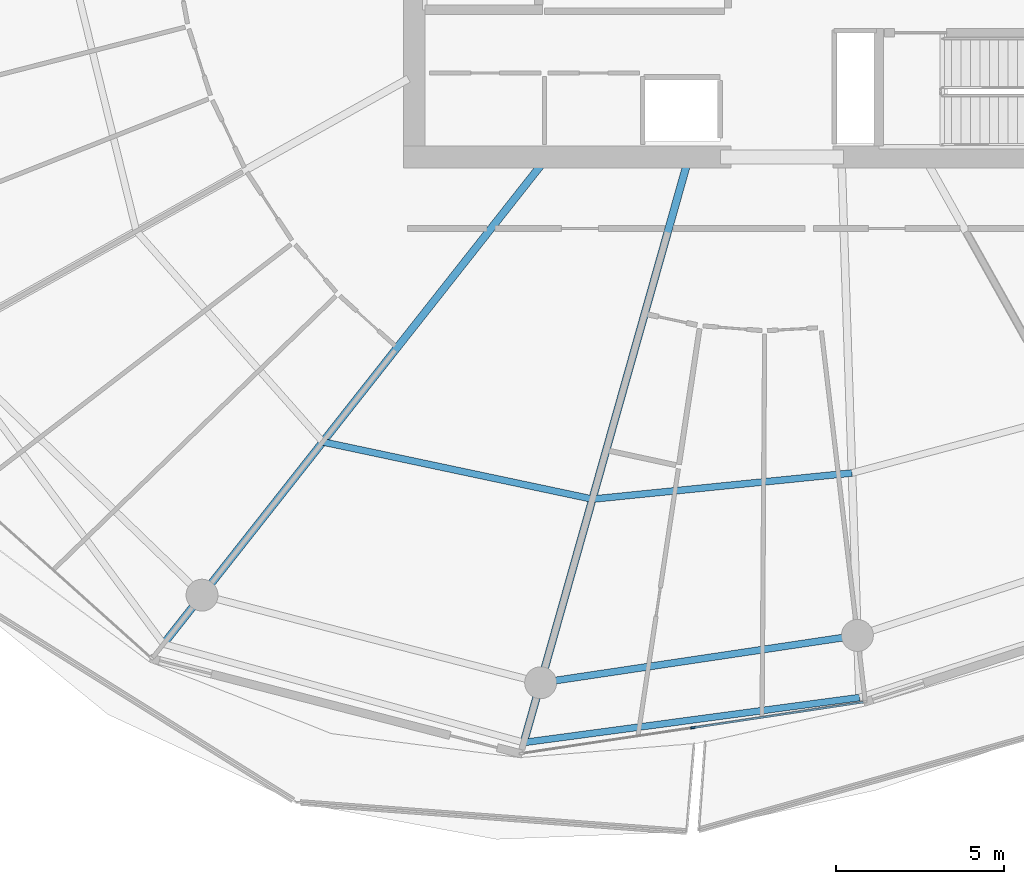
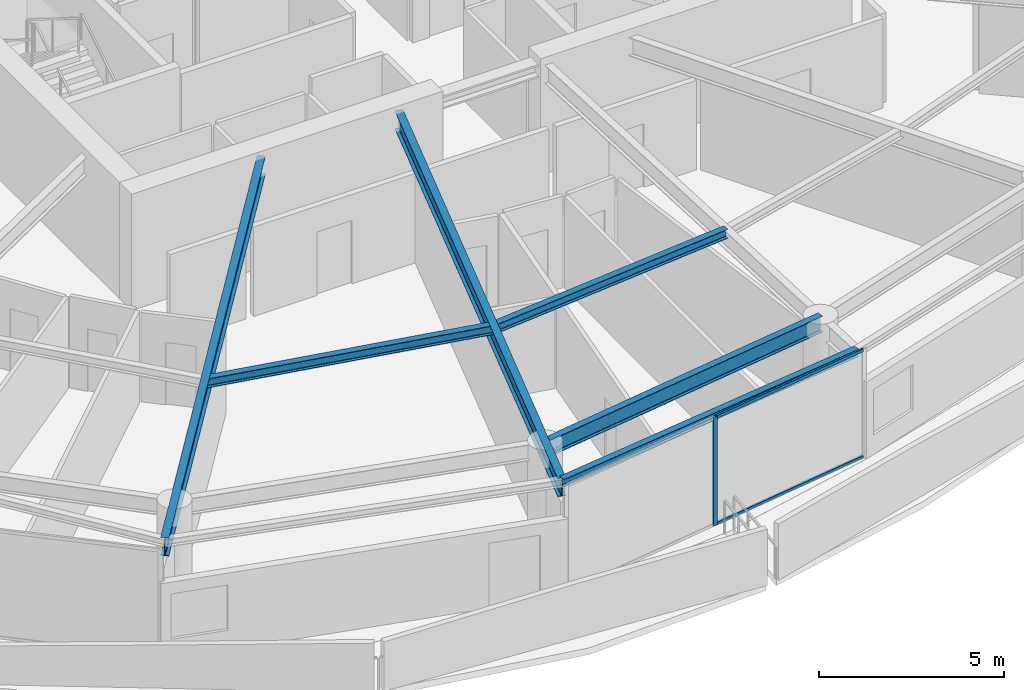
# One storey, part 7 of 30: 6 beams, 3 members, 1 element without a shape of its own.
"""IFC4 building model written with IfcOpenShell, lengths in metres."""

from ifc_helpers import new_model, si_unit, direction, frame, origin, origin_2d, place, context, subcontext, project, spatial, rectangle, i_section, extrude, material, layer, layer_set, material_profile, profile_set, type_object, element, aggregate, save


model = new_model("IFC4")

# Units and contexts
model_context = context("Model", 3, precision=1e-05, world=origin(), true_north=direction((0.0, 1.0)))
body_context = subcontext(model_context, "Body", "Model", "MODEL_VIEW")
ifc_project = project(units=[si_unit("LENGTHUNIT", "METRE"), si_unit("AREAUNIT", "SQUARE_METRE"), si_unit("VOLUMEUNIT", "CUBIC_METRE"), si_unit("PLANEANGLEUNIT", "RADIAN"), si_unit("MASSUNIT", "GRAM", prefix="KILO")], contexts=[model_context])

# Site, building, storey
site_placement = place(None, origin())
site = spatial("IfcSite", under=ifc_project, at=site_placement, CompositionType="ELEMENT")
building_placement = place(site_placement, origin())
building = spatial("IfcBuilding", under=site, at=building_placement, Name="Kazma Halo Residences", CompositionType="ELEMENT")
storey_placement = place(building_placement, frame((0.0, 0.0, 236.699951171875)))
storey = spatial("IfcBuildingStorey", under=building, at=storey_placement, Name="L59", CompositionType="ELEMENT", Elevation=236.699951171875)

# Beams
ifc_material_1 = material(Name="Steel S355", Category="steel")
ifc_material_profile_1 = material_profile(ifc_material_1, i_section(OverallWidth=0.201904296875, OverallDepth=0.2470703125, WebThickness=0.00732421875, FlangeThickness=0.010986328125, FilletRadius=0.011962890625, at=origin_2d()), Name="W250x49.1")
ifc_profile_set_1 = profile_set([ifc_material_profile_1], Name="Steel S355")
beam_type_1 = type_object("IfcBeamType", Name="BM-BAL-CANT", PredefinedType="BEAM", material=ifc_profile_set_1)
beam_1_placement = place(storey_placement, frame((40.73486328125, 16.239990234375, 3.466552734375), z_axis=(0.991137416918, 0.132840584106, 0.0), x_axis=(-0.132840584106, 0.991137416918, 0.0)))
element("IfcBeam", 1, at=beam_1_placement, inside=storey, type_object=beam_type_1, Name="L59 wave-balcony tie beam 11", PredefinedType="BEAM", context=body_context, shape_type="SweptSolid", body=[
    extrude(i_section(OverallWidth=0.201904296875, OverallDepth=0.2470703125, WebThickness=0.00732421875, FlangeThickness=0.010986328125, FilletRadius=0.011962890625, at=origin_2d()), origin(), (0.0, 0.0, 1.0), 10.087890625),
])
ifc_material_profile_2 = material_profile(ifc_material_1, i_section(OverallWidth=0.22802734375, OverallDepth=0.60791015625, WebThickness=0.01123046875, FlangeThickness=0.017333984375, FilletRadius=0.01806640625, at=origin_2d()), Name="W610x113")
ifc_profile_set_2 = profile_set([ifc_material_profile_2], Name="Steel S355")
beam_type_2 = type_object("IfcBeamType", Name="BM-RAD-W610", PredefinedType="BEAM", material=ifc_profile_set_2)
beam_2_placement = place(storey_placement, frame((41.299072265625, 33.5, 3.2861328125), z_axis=(-0.6190864347, -0.785322854863, 0.0), x_axis=(0.785322854863, -0.6190864347, 0.0)))
element("IfcBeam", 2, at=beam_2_placement, inside=storey, type_object=beam_type_2, Name="L59 radial floor beam 10", PredefinedType="BEAM", context=body_context, shape_type="SweptSolid", body=[
    extrude(i_section(OverallWidth=0.22802734375, OverallDepth=0.60791015625, WebThickness=0.01123046875, FlangeThickness=0.017333984375, FilletRadius=0.01806640625, at=origin_2d()), origin(), (0.0, 0.0, 1.0), 18.239013671875),
])
beam_3_placement = place(storey_placement, frame((45.602783203125, 33.5, 3.2861328125), z_axis=(-0.271445290974, -0.962453871107, 0.0), x_axis=(0.962453871107, -0.271445290974, 0.0)))
element("IfcBeam", 3, at=beam_3_placement, inside=storey, type_object=beam_type_2, Name="L59 radial floor beam 11", PredefinedType="BEAM", context=body_context, shape_type="SweptSolid", body=[
    extrude(i_section(OverallWidth=0.22802734375, OverallDepth=0.60791015625, WebThickness=0.01123046875, FlangeThickness=0.017333984375, FilletRadius=0.01806640625, at=origin_2d()), origin(), (0.0, 0.0, 1.0), 17.933349609375),
])
ifc_material_profile_3 = material_profile(ifc_material_1, i_section(OverallWidth=0.202880859375, OverallDepth=0.302978515625, WebThickness=0.007568359375, FlangeThickness=0.01318359375, FilletRadius=0.013916015625, at=origin_2d()), Name="W310x60")
ifc_profile_set_3 = profile_set([ifc_material_profile_3], Name="Steel S355")
beam_type_3 = type_object("IfcBeamType", Name="BM-SEC-W310A", PredefinedType="JOIST", material=ifc_profile_set_3)
beam_4_placement = place(storey_placement, frame((34.75, 25.1923828125, 3.4384765625), z_axis=(0.978235588777, -0.207497308055, 0.0), x_axis=(0.207497308055, 0.978235588777, 0.0)))
element("IfcBeam", 4, at=beam_4_placement, inside=storey, type_object=beam_type_3, Name="L59 circumferential floor joist 10", PredefinedType="JOIST", context=body_context, shape_type="SweptSolid", body=[
    extrude(i_section(OverallWidth=0.202880859375, OverallDepth=0.302978515625, WebThickness=0.007568359375, FlangeThickness=0.01318359375, FilletRadius=0.013916015625, at=origin_2d()), origin(), (0.0, 0.0, 1.0), 8.2080078125),
])
beam_5_placement = place(storey_placement, frame((42.779296875, 23.4892578125, 3.4384765625), z_axis=(0.994981653225, 0.10005753218, 0.0), x_axis=(-0.10005753218, 0.994981653225, 0.0)))
element("IfcBeam", 5, at=beam_5_placement, inside=storey, type_object=beam_type_3, Name="L59 circumferential floor joist 11", PredefinedType="JOIST", context=body_context, shape_type="SweptSolid", body=[
    extrude(i_section(OverallWidth=0.202880859375, OverallDepth=0.302978515625, WebThickness=0.007568359375, FlangeThickness=0.01318359375, FilletRadius=0.013916015625, at=origin_2d()), origin(), (0.0, 0.0, 1.0), 7.76904296875),
])
ifc_material_profile_4 = material_profile(ifc_material_1, i_section(OverallWidth=0.208984375, OverallDepth=0.532958984375, WebThickness=0.01025390625, FlangeThickness=0.015625, FilletRadius=0.01611328125, at=origin_2d()), Name="W530x92")
ifc_profile_set_4 = profile_set([ifc_material_profile_4], Name="Steel S355")
beam_type_4 = type_object("IfcBeamType", Name="BM-SPN-W530", PredefinedType="BEAM", material=ifc_profile_set_4)
beam_6_placement = place(storey_placement, frame((41.237060546875, 18.0205078125, 3.323486328125), z_axis=(0.989035441627, 0.147678350495, 0.0), x_axis=(-0.147678350495, 0.989035441627, 0.0)))
element("IfcBeam", 6, at=beam_6_placement, inside=storey, type_object=beam_type_4, Name="L59 perimeter ring beam 11", PredefinedType="BEAM", context=body_context, shape_type="SweptSolid", body=[
    extrude(i_section(OverallWidth=0.208984375, OverallDepth=0.532958984375, WebThickness=0.01025390625, FlangeThickness=0.015625, FilletRadius=0.01611328125, at=origin_2d()), origin(), (0.0, 0.0, 1.0), 9.538818359375),
])

# Curtain wall, members
ifc_material_2 = material(Name="Aluminium AW-6063 T6 and Triple-Silver Low-E Glass", Category="aluminium")
ifc_layer = layer(ifc_material_2, 0.139892578125)
ifc_layer_set = layer_set([ifc_layer], Name="Aluminium AW-6063 T6 and Triple-Silver Low-E Glass")
curtain_wall_type = type_object("IfcCurtainWallType", Name="CW-SYS-5", PredefinedType="NOTDEFINED", material=ifc_layer_set)
curtain_wall_placement = place(storey_placement, origin())
curtain_wall = element("IfcCurtainWall", 7, at=curtain_wall_placement, inside=storey, type_object=curtain_wall_type, Name="L59 unitised curtain wall B11", PredefinedType="NOTDEFINED")
ifc_material_3 = material(Name="Aluminium AW-6063 T6", Category="aluminium")
ifc_material_profile_5 = material_profile(ifc_material_3, rectangle(XDim=0.06005859375, YDim=0.139892578125, at=origin_2d()), Name="CWM-60x140")
ifc_profile_set_5 = profile_set([ifc_material_profile_5], Name="Aluminium AW-6063 T6")
member_type_1 = type_object("IfcMemberType", Name="CW-SYS-5-MUL", PredefinedType="MULLION", material=ifc_profile_set_5)
member_1_placement = place(storey_placement, frame((45.7734375, 16.679931640625, 0.0), z_axis=(0.0, 0.0, 1.0), x_axis=(-0.148697080374, 0.988882792998, 0.0)))
member_1 = element("IfcMember", 8, at=member_1_placement, type_object=member_type_1, Name="CWS-5 mullion 2", PredefinedType="MULLION", context=body_context, shape_type="SweptSolid", body=[
    extrude(rectangle(XDim=0.06005859375, YDim=0.139892578125, at=origin_2d()), origin(), (0.0, 0.0, 1.0), 3.590087890625),
])
ifc_material_profile_6 = material_profile(ifc_material_3, rectangle(XDim=0.06005859375, YDim=0.10498046875, at=origin_2d()), Name="CWT-60x105")
ifc_profile_set_6 = profile_set([ifc_material_profile_6], Name="Aluminium AW-6063 T6")
member_type_2 = type_object("IfcMemberType", Name="CW-SYS-5-TRN", PredefinedType="USERDEFINED", material=ifc_profile_set_6)
member_2_placement = place(storey_placement, frame((45.80322265625, 16.6845703125, 0.030029296875), z_axis=(0.988882913569, 0.148696278541, 0.0), x_axis=(-0.148696278541, 0.988882913569, 0.0)))
member_2 = element("IfcMember", 9, at=member_2_placement, type_object=member_type_2, Name="CWS-5 transom 2.1", ObjectType="TRANSOM", PredefinedType="USERDEFINED", context=body_context, shape_type="SweptSolid", body=[
    extrude(rectangle(XDim=0.06005859375, YDim=0.10498046875, at=origin_2d()), origin(), (0.0, 0.0, 1.0), 5.099609375),
])
member_3_placement = place(storey_placement, frame((45.80322265625, 16.6845703125, 3.56005859375), z_axis=(0.988882913569, 0.148696278541, 0.0), x_axis=(-0.148696278541, 0.988882913569, 0.0)))
member_3 = element("IfcMember", 10, at=member_3_placement, type_object=member_type_2, Name="CWS-5 transom 2.2", ObjectType="TRANSOM", PredefinedType="USERDEFINED", context=body_context, shape_type="SweptSolid", body=[
    extrude(rectangle(XDim=0.06005859375, YDim=0.10498046875, at=origin_2d()), origin(), (0.0, 0.0, 1.0), 5.099609375),
])
aggregate(curtain_wall, [member_1, member_2, member_3])

save(model, "model.ifc")
